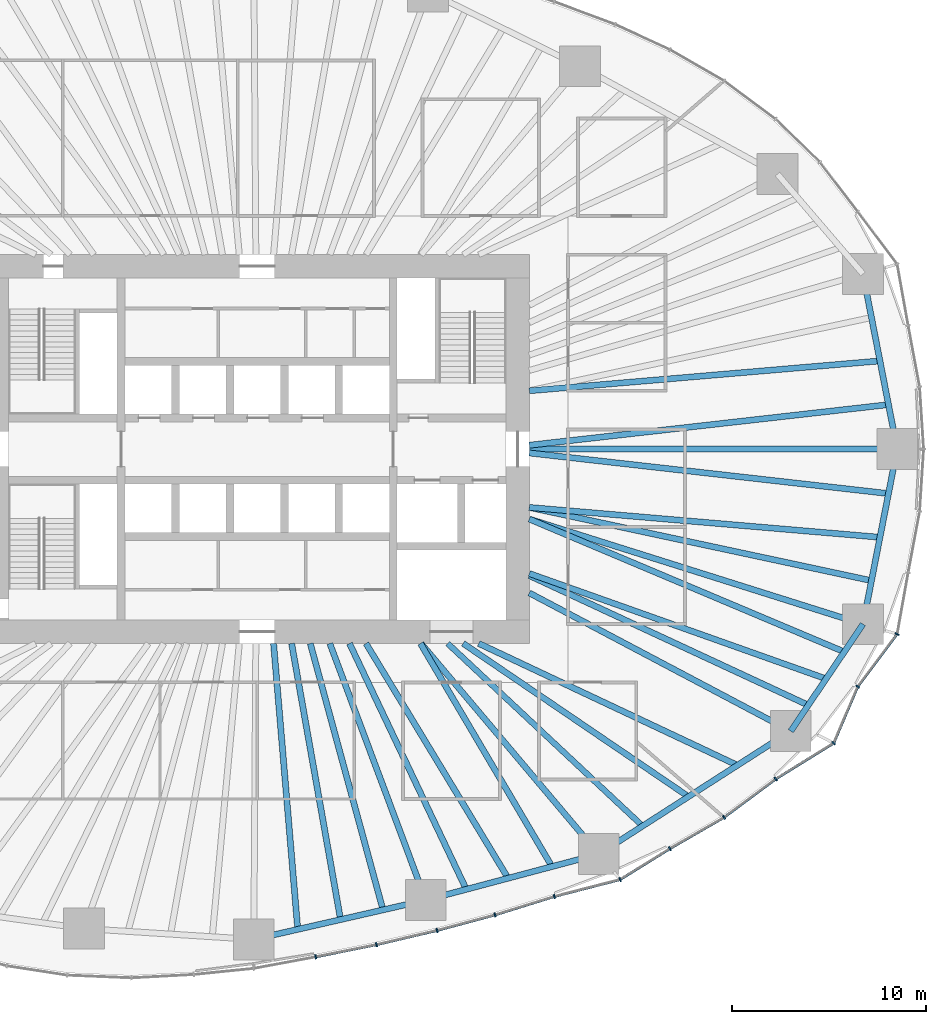
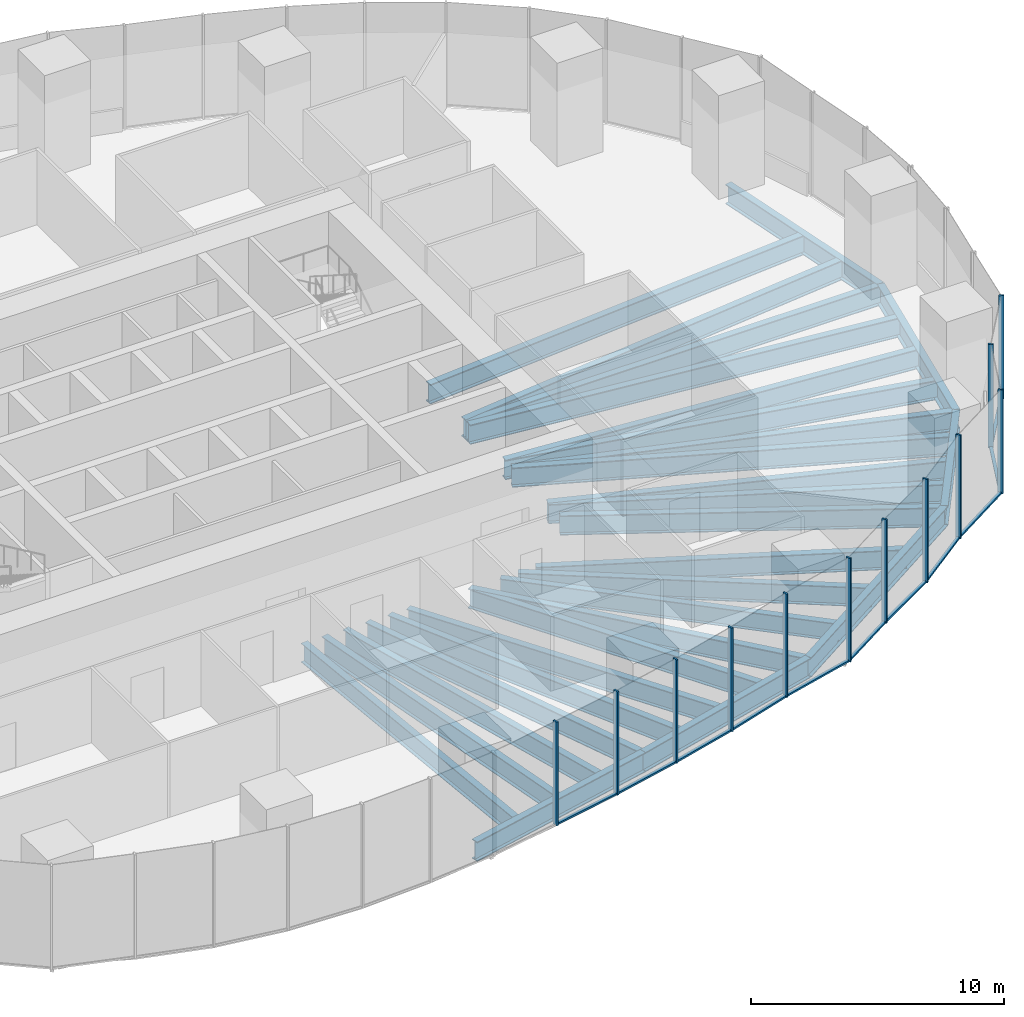
# One storey, part 4 of 20: 28 beams, 23 members, 5 elements without a shape of their own.
"""IFC4 building model written with IfcOpenShell, lengths in metres."""

import ifcopenshell
import ifcopenshell.guid

model = None  # the IFC model being written
_history = None  # IfcOwnerHistory: only IFC2X3 demands one
_inside = {}  # id of a spatial element -> (the spatial element, [elements in it])
_under = {}  # id of a project, library or spatial element -> (it, [spatial elements below it])
_declared = {}  # id of a project -> (the project, [libraries it declares])
_typed = {}  # id of a type object -> (the type object, [elements of that type])
_made_of = {}  # id of a material, layer set ... -> (it, [elements and type objects made of it])


def new_model(schema):
    """Start an empty IFC model of exactly this schema.

    Asked for "IFC4X3", IfcOpenShell would pick the latest addendum, in which some entities
    have other attributes; the version numbers below select the first issue.
    IFC2X3 requires an IfcOwnerHistory on every rooted entity: one is made here for all.
    """
    global model, _history
    if schema == "IFC4X3":
        model = ifcopenshell.file(schema_version=(4, 3, 0, 0))
    else:
        model = ifcopenshell.file(schema=schema)
    _inside.clear()
    _under.clear()
    _declared.clear()
    _typed.clear()
    _made_of.clear()
    _history = None
    if model.schema == "IFC2X3":
        org = make("IfcOrganization", Name="unknown")
        user = make(
            "IfcPersonAndOrganization",
            ThePerson=make("IfcPerson", FamilyName="unknown"),
            TheOrganization=org,
        )
        app = make(
            "IfcApplication",
            ApplicationDeveloper=org,
            Version="unknown",
            ApplicationFullName="unknown",
            ApplicationIdentifier="unknown",
        )
        _history = make(
            "IfcOwnerHistory",
            OwningUser=user,
            OwningApplication=app,
            ChangeAction="ADDED",
            CreationDate=0,
        )
    return model


def make(cls, **values):
    """One entity of the class cls with the attributes given. An attribute that is None is left unset."""
    return model.create_entity(
        cls, **{name: value for name, value in values.items() if value is not None}
    )


def rooted(cls, **values):
    """An entity with a GlobalId (a new one), such as an element, a storey or a relation."""
    return make(cls, GlobalId=ifcopenshell.guid.new(), OwnerHistory=_history, **values)


def si_unit(unit_type, name, prefix=None):
    """IfcSIUnit, for example si_unit("LENGTHUNIT", "METRE", prefix="MILLI")."""
    return make("IfcSIUnit", UnitType=unit_type, Prefix=prefix, Name=name)


def assignment(units):
    """IfcUnitAssignment: the units of a project."""
    return None if units is None else make("IfcUnitAssignment", Units=units)


def point(xyz):
    """IfcCartesianPoint."""
    return None if xyz is None else make("IfcCartesianPoint", Coordinates=xyz)


def direction(xyz):
    """IfcDirection."""
    return None if xyz is None else make("IfcDirection", DirectionRatios=xyz)


def frame(location, z_axis=None, x_axis=None):
    """IfcAxis2Placement3D, a coordinate frame: its origin and axes. An axis left out is left unset."""
    return make(
        "IfcAxis2Placement3D",
        Location=point(location),
        Axis=direction(z_axis),
        RefDirection=direction(x_axis),
    )


def frame_2d(location, x_axis=None):
    """IfcAxis2Placement2D, a coordinate frame in the plane: its origin and x axis."""
    return make(
        "IfcAxis2Placement2D", Location=point(location), RefDirection=direction(x_axis)
    )


def origin():
    """The frame at (0, 0, 0) with its axes left unset."""
    return frame((0.0, 0.0, 0.0))


def origin_2d():
    """The frame at (0, 0) in the plane with its x axis left unset."""
    return frame_2d((0.0, 0.0))


def place(relative_to, where):
    """IfcLocalPlacement: puts the frame where relative to a parent placement (None: the world)."""
    return make(
        "IfcLocalPlacement", PlacementRelTo=relative_to, RelativePlacement=where
    )


def context(
    kind, dimensions, precision=None, world=None, true_north=None, identifier=None
):
    """IfcGeometricRepresentationContext, for example the 3D "Model" context."""
    return make(
        "IfcGeometricRepresentationContext",
        ContextIdentifier=identifier,
        ContextType=kind,
        CoordinateSpaceDimension=dimensions,
        Precision=precision,
        WorldCoordinateSystem=world,
        TrueNorth=true_north,
    )


def subcontext(parent, identifier, kind, view, scale=None):
    """IfcGeometricRepresentationSubContext, for example "Body" below "Model"."""
    return make(
        "IfcGeometricRepresentationSubContext",
        ContextIdentifier=identifier,
        ContextType=kind,
        ParentContext=parent,
        TargetScale=scale,
        TargetView=view,
    )


def project(units=None, contexts=None):
    """IfcProject with its units and contexts."""
    return rooted(
        "IfcProject",
        Name="project",
        RepresentationContexts=contexts,
        UnitsInContext=assignment(units),
    )


def spatial(cls, under=None, at=None, **own):
    """A site, building, storey or space (cls), placed at a placement, below another one or the project."""
    s = rooted(cls, ObjectPlacement=at, **own)
    if under is not None:
        _under.setdefault(under.id(), (under, []))[1].append(s)
    return s


def profile(cls, at=None, kind="AREA", **sizes):
    """A parametric profile (cls). Its sizes go by their IFC names, for example OverallWidth=200.0."""
    return make(cls, ProfileType=kind, Position=at, **sizes)


def rectangle(**sizes):
    """IfcRectangleProfileDef."""
    return profile("IfcRectangleProfileDef", **sizes)


def i_section(**sizes):
    """IfcIShapeProfileDef."""
    return profile("IfcIShapeProfileDef", **sizes)


def extrude(swept, where, along, depth):
    """IfcExtrudedAreaSolid: the profile swept, set in the frame where, extruded along a direction by depth."""
    return make(
        "IfcExtrudedAreaSolid",
        SweptArea=swept,
        Position=where,
        ExtrudedDirection=direction(along),
        Depth=depth,
    )


def shape(context_of_items, identifier, shape_type, items):
    """IfcShapeRepresentation: the items that make up one representation, for example the "Body"."""
    return make(
        "IfcShapeRepresentation",
        ContextOfItems=context_of_items,
        RepresentationIdentifier=identifier,
        RepresentationType=shape_type,
        Items=items,
    )


def material(Name=None, Category=None):
    """IfcMaterial."""
    return make("IfcMaterial", Name=Name, Category=Category)


def material_profile(
    of_material, cross_section, Name=None, Category=None, Priority=None
):
    """IfcMaterialProfile: a cross section and its material."""
    return make(
        "IfcMaterialProfile",
        Name=Name,
        Material=of_material,
        Profile=cross_section,
        Priority=Priority,
        Category=Category,
    )


def profile_set(profiles, Name=None, composite=None):
    """IfcMaterialProfileSet."""
    return make(
        "IfcMaterialProfileSet",
        Name=Name,
        MaterialProfiles=profiles,
        CompositeProfile=composite,
    )


def made_of(thing, what):
    """Note that an element or type object is made of a material, layer set ...; save() writes the relation."""
    if what is not None:
        _made_of.setdefault(what.id(), (what, []))[1].append(thing)
    return thing


def type_object(cls, material=None, **own):
    """A type object (cls), such as IfcWallType, which elements share."""
    return made_of(rooted(cls, **own), material)


def element(
    cls,
    number,
    at=None,
    inside=None,
    cuts=None,
    type_object=None,
    material=None,
    context=None,
    identifier="Body",
    shape_type=None,
    held_by="IfcProductDefinitionShape",
    body=None,
    shapes=None,
    **own,
):
    """One element of the class cls, such as IfcWall. Its Tag is "e" and its number.

    at: its placement. inside: the storey or other place that contains it. cuts: it is an
    opening in that element (IfcRelVoidsElement). A single representation is given by context,
    identifier, shape_type and body (its items); several are given by shapes. held_by: the class
    of the entity that holds the representations. save() writes the other relations.
    """
    e = rooted(cls, Tag="e%d" % number, ObjectPlacement=at, **own)
    if body is not None:
        shapes = [shape(context, identifier, shape_type, body)]
    if shapes is not None:
        e.Representation = make(held_by, Representations=shapes)
    if inside is not None:
        _inside.setdefault(inside.id(), (inside, []))[1].append(e)
    if cuts is not None:
        rooted(
            "IfcRelVoidsElement", RelatingBuildingElement=cuts, RelatedOpeningElement=e
        )
    if type_object is not None:
        _typed.setdefault(type_object.id(), (type_object, []))[1].append(e)
    return made_of(e, material)


def aggregate(whole, parts):
    """IfcRelAggregates: a whole, such as a stair, and the parts it consists of."""
    return rooted("IfcRelAggregates", RelatingObject=whole, RelatedObjects=parts)


def save(model, path):
    """Write the relations noted so far, then the file.

    IfcRelAggregates (storeys below a building ...), IfcRelContainedInSpatialStructure (elements
    in a storey), IfcRelDefinesByType, IfcRelAssociatesMaterial and IfcRelDeclares: one each for
    every whole, place, type object, material and project.
    """
    for whole, parts in _under.values():
        aggregate(whole, parts)
    for where, things in _inside.values():
        rooted(
            "IfcRelContainedInSpatialStructure",
            RelatedElements=things,
            RelatingStructure=where,
        )
    for kind, things in _typed.values():
        rooted("IfcRelDefinesByType", RelatedObjects=things, RelatingType=kind)
    for what, things in _made_of.values():
        rooted("IfcRelAssociatesMaterial", RelatedObjects=things, RelatingMaterial=what)
    for by, libraries in _declared.values():
        rooted("IfcRelDeclares", RelatingContext=by, RelatedDefinitions=libraries)
    model.write(path)


model = new_model("IFC4")

# Units and contexts
model_context = context("Model", 3, precision=1e-05, world=origin(), true_north=direction((0.0, 1.0)))
body_context = subcontext(model_context, "Body", "Model", "MODEL_VIEW")
ifc_project = project(units=[si_unit("LENGTHUNIT", "METRE"), si_unit("AREAUNIT", "SQUARE_METRE"), si_unit("VOLUMEUNIT", "CUBIC_METRE"), si_unit("PLANEANGLEUNIT", "RADIAN"), si_unit("MASSUNIT", "GRAM", prefix="KILO")], contexts=[model_context])

# Site, building, storey
site_placement = place(None, origin())
site = spatial("IfcSite", under=ifc_project, at=site_placement, CompositionType="ELEMENT")
building_placement = place(site_placement, origin())
building = spatial("IfcBuilding", under=site, at=building_placement, Name="Ghaith Harvest Tower", CompositionType="ELEMENT")
storey_placement = place(building_placement, frame((0.0, 0.0, 25.0)))
storey = spatial("IfcBuildingStorey", under=building, at=storey_placement, Name="L05", CompositionType="ELEMENT", Elevation=25.0)

# Curtain wall, members
ifc_material_1 = material(Name="Black anodised aluminium and fritted glass", Category="aluminium")
curtain_wall_type = type_object("IfcCurtainWallType", Name="CW-F CURTAIN WALL", PredefinedType="NOTDEFINED", material=ifc_material_1)
curtain_wall_1_placement = place(storey_placement, origin())
curtain_wall_1 = element("IfcCurtainWall", 1, at=curtain_wall_1_placement, inside=storey, type_object=curtain_wall_type, Name="Curtain wall CW-F bay 16 L05", PredefinedType="NOTDEFINED")
ifc_material_2 = material(Name="Aluminium, black anodised", Category="aluminium")
ifc_material_profile_1 = material_profile(ifc_material_2, rectangle(XDim=0.080078125, YDim=0.219970703125, at=origin_2d()), Name="CW-F MULLION 80x220")
ifc_profile_set_1 = profile_set([ifc_material_profile_1], Name="Aluminium, black anodised")
member_type_1 = type_object("IfcMemberType", Name="CW-F MULLION 80x220", PredefinedType="MULLION", material=ifc_profile_set_1)
member_1_placement = place(storey_placement, frame((3.00927734375, -26.123291015625, 0.0), z_axis=(0.0, 0.0, 1.0), x_axis=(0.981818445714, 0.189822389762, 0.0)))
member_1 = element("IfcMember", 2, at=member_1_placement, type_object=member_type_1, Name="CW-F mullion 2 bay 16 L05", PredefinedType="MULLION", context=body_context, shape_type="SweptSolid", body=[
    extrude(rectangle(XDim=0.080078125, YDim=0.219970703125, at=origin_2d()), origin(), (0.0, 0.0, 1.0), 5.0),
])
member_2_placement = place(storey_placement, frame((6.136962890625, -25.495361328125, 0.0), z_axis=(0.0, 0.0, 1.0), x_axis=(0.977117973572, 0.212698062336, 0.0)))
member_2 = element("IfcMember", 3, at=member_2_placement, type_object=member_type_1, Name="CW-F mullion 3 bay 16 L05", PredefinedType="MULLION", context=body_context, shape_type="SweptSolid", body=[
    extrude(rectangle(XDim=0.080078125, YDim=0.219970703125, at=origin_2d()), origin(), (0.0, 0.0, 1.0), 5.0),
])

curtain_wall_2_placement = place(storey_placement, origin())
curtain_wall_2 = element("IfcCurtainWall", 4, at=curtain_wall_2_placement, inside=storey, type_object=curtain_wall_type, Name="Curtain wall CW-F bay 17 L05", PredefinedType="NOTDEFINED")
member_3_placement = place(storey_placement, frame((9.25732421875, -24.76318359375, 0.0), z_axis=(0.0, 0.0, 1.0), x_axis=(0.969903429248, 0.24348991341, 0.0)))
member_3 = element("IfcMember", 5, at=member_3_placement, type_object=member_type_1, Name="CW-F mullion 1 bay 17 L05", PredefinedType="MULLION", context=body_context, shape_type="SweptSolid", body=[
    extrude(rectangle(XDim=0.080078125, YDim=0.219970703125, at=origin_2d()), origin(), (0.0, 0.0, 1.0), 5.0),
])
member_4_placement = place(storey_placement, frame((12.234375, -23.964599609375, 0.0), z_axis=(0.0, 0.0, 1.0), x_axis=(0.960502189734, 0.278272426799, 0.0)))
member_4 = element("IfcMember", 6, at=member_4_placement, type_object=member_type_1, Name="CW-F mullion 2 bay 17 L05", PredefinedType="MULLION", context=body_context, shape_type="SweptSolid", body=[
    extrude(rectangle(XDim=0.080078125, YDim=0.219970703125, at=origin_2d()), origin(), (0.0, 0.0, 1.0), 5.0),
])
member_5_placement = place(storey_placement, frame((15.28759765625, -23.01611328125, 0.0), z_axis=(0.0, 0.0, 1.0), x_axis=(0.962313144018, 0.27194376781, 0.0)))
member_5 = element("IfcMember", 7, at=member_5_placement, type_object=member_type_1, Name="CW-F mullion 3 bay 17 L05", PredefinedType="MULLION", context=body_context, shape_type="SweptSolid", body=[
    extrude(rectangle(XDim=0.080078125, YDim=0.219970703125, at=origin_2d()), origin(), (0.0, 0.0, 1.0), 5.0),
])

curtain_wall_3_placement = place(storey_placement, origin())
curtain_wall_3 = element("IfcCurtainWall", 8, at=curtain_wall_3_placement, inside=storey, type_object=curtain_wall_type, Name="Curtain wall CW-F bay 18 L05", PredefinedType="NOTDEFINED")
member_6_placement = place(storey_placement, frame((18.674072265625, -22.144775390625, 0.0), z_axis=(0.0, 0.0, 1.0), x_axis=(0.923910199299, 0.382609387799, 0.0)))
member_6 = element("IfcMember", 9, at=member_6_placement, type_object=member_type_1, Name="CW-F mullion 1 bay 18 L05", PredefinedType="MULLION", context=body_context, shape_type="SweptSolid", body=[
    extrude(rectangle(XDim=0.080078125, YDim=0.219970703125, at=origin_2d()), origin(), (0.0, 0.0, 1.0), 5.0),
])
member_7_placement = place(storey_placement, frame((21.2353515625, -20.552978515625, 0.0), z_axis=(0.0, 0.0, 1.0), x_axis=(0.858140414942, 0.513415064293, 0.0)))
member_7 = element("IfcMember", 10, at=member_7_placement, type_object=member_type_1, Name="CW-F mullion 2 bay 18 L05", PredefinedType="MULLION", context=body_context, shape_type="SweptSolid", body=[
    extrude(rectangle(XDim=0.080078125, YDim=0.219970703125, at=origin_2d()), origin(), (0.0, 0.0, 1.0), 5.0),
])
member_8_placement = place(storey_placement, frame((24.018310546875, -18.947265625, 0.0), z_axis=(0.0, 0.0, 1.0), x_axis=(0.835443516838, 0.549576318788, 0.0)))
member_8 = element("IfcMember", 11, at=member_8_placement, type_object=member_type_1, Name="CW-F mullion 3 bay 18 L05", PredefinedType="MULLION", context=body_context, shape_type="SweptSolid", body=[
    extrude(rectangle(XDim=0.080078125, YDim=0.219970703125, at=origin_2d()), origin(), (0.0, 0.0, 1.0), 5.0),
])

curtain_wall_4_placement = place(storey_placement, origin())
curtain_wall_4 = element("IfcCurtainWall", 12, at=curtain_wall_4_placement, inside=storey, type_object=curtain_wall_type, Name="Curtain wall CW-F bay 19 L05", PredefinedType="NOTDEFINED")
member_9_placement = place(storey_placement, frame((26.673828125, -16.9755859375, 0.0), z_axis=(0.0, 0.0, 1.0), x_axis=(0.828002038115, 0.560725088504, 0.0)))
member_9 = element("IfcMember", 13, at=member_9_placement, type_object=member_type_1, Name="CW-F mullion 1 bay 19 L05", PredefinedType="MULLION", context=body_context, shape_type="SweptSolid", body=[
    extrude(rectangle(XDim=0.080078125, YDim=0.219970703125, at=origin_2d()), origin(), (0.0, 0.0, 1.0), 5.0),
])
member_10_placement = place(storey_placement, frame((29.659912109375, -15.126953125, 0.0), z_axis=(0.0, 0.0, 1.0), x_axis=(0.663604797505, 0.748083332743, 0.0)))
member_10 = element("IfcMember", 14, at=member_10_placement, type_object=member_type_1, Name="CW-F mullion 2 bay 19 L05", PredefinedType="MULLION", context=body_context, shape_type="SweptSolid", body=[
    extrude(rectangle(XDim=0.080078125, YDim=0.219970703125, at=origin_2d()), origin(), (0.0, 0.0, 1.0), 5.0),
])
member_11_placement = place(storey_placement, frame((30.896728515625, -12.215087890625, 0.0), z_axis=(0.0, 0.0, 1.0), x_axis=(0.5027946428, 0.864405892606, 0.0)))
member_11 = element("IfcMember", 15, at=member_11_placement, type_object=member_type_1, Name="CW-F mullion 3 bay 19 L05", PredefinedType="MULLION", context=body_context, shape_type="SweptSolid", body=[
    extrude(rectangle(XDim=0.080078125, YDim=0.219970703125, at=origin_2d()), origin(), (0.0, 0.0, 1.0), 5.0),
])

# Curtain wall, member
curtain_wall_5_placement = place(storey_placement, origin())
curtain_wall_5 = element("IfcCurtainWall", 16, at=curtain_wall_5_placement, inside=storey, type_object=curtain_wall_type, Name="Curtain wall CW-F bay 20 L05", PredefinedType="NOTDEFINED")
member_12_placement = place(storey_placement, frame((32.923583984375, -9.515625, 0.0), z_axis=(0.0, 0.0, 1.0), x_axis=(0.404701694001, 0.914448762301, 0.0)))
member_12 = element("IfcMember", 17, at=member_12_placement, type_object=member_type_1, Name="CW-F mullion 1 bay 20 L05", PredefinedType="MULLION", context=body_context, shape_type="SweptSolid", body=[
    extrude(rectangle(XDim=0.080078125, YDim=0.219970703125, at=origin_2d()), origin(), (0.0, 0.0, 1.0), 5.0),
])
aggregate(curtain_wall_5, [member_12])

# Member
ifc_material_3 = material(Name="Aluminium, black anodised", Category="aluminium")
ifc_material_profile_2 = material_profile(ifc_material_3, rectangle(XDim=0.139892578125, YDim=0.080078125, at=origin_2d()), Name="CW-F TRANSOM 140x80")
ifc_profile_set_2 = profile_set([ifc_material_profile_2], Name="Aluminium, black anodised")
member_type_2 = type_object("IfcMemberType", Name="CW-F TRANSOM 140x80", PredefinedType="USERDEFINED", material=ifc_profile_set_2)
member_13_placement = place(storey_placement, frame((3.04833984375, -26.115478515625, 0.0400390625), z_axis=(0.980432471193, 0.196855707129, 0.0), x_axis=(-0.196855707129, 0.980432471193, 0.0)))
member_13 = element("IfcMember", 18, at=member_13_placement, type_object=member_type_2, Name="CW-F transom 2 bay 16 L05", ObjectType="TRANSOM", PredefinedType="USERDEFINED", context=body_context, shape_type="SweptSolid", body=[
    extrude(rectangle(XDim=0.139892578125, YDim=0.080078125, at=origin_2d()), origin(), (0.0, 0.0, 1.0), 3.1103515625),
])

member_14_placement = place(storey_placement, frame((6.176025390625, -25.486083984375, 0.0400390625), z_axis=(0.973560415159, 0.228429678537, 0.0), x_axis=(-0.228429678537, 0.973560415159, 0.0)))
member_14 = element("IfcMember", 19, at=member_14_placement, type_object=member_type_2, Name="CW-F transom 3 bay 16 L05", ObjectType="TRANSOM", PredefinedType="USERDEFINED", context=body_context, shape_type="SweptSolid", body=[
    extrude(rectangle(XDim=0.139892578125, YDim=0.080078125, at=origin_2d()), origin(), (0.0, 0.0, 1.0), 3.125),
])

aggregate(curtain_wall_1, [member_1, member_13, member_2, member_14])

member_15_placement = place(storey_placement, frame((9.2958984375, -24.7529296875, 0.0400390625), z_axis=(0.965832908495, 0.259165570377, 0.0), x_axis=(-0.259165570377, 0.965832908495, 0.0)))
member_15 = element("IfcMember", 20, at=member_15_placement, type_object=member_type_2, Name="CW-F transom 1 bay 17 L05", ObjectType="TRANSOM", PredefinedType="USERDEFINED", context=body_context, shape_type="SweptSolid", body=[
    extrude(rectangle(XDim=0.139892578125, YDim=0.080078125, at=origin_2d()), origin(), (0.0, 0.0, 1.0), 3.002197265625),
])

member_16_placement = place(storey_placement, frame((12.2724609375, -23.95263671875, 0.0400390625), z_axis=(0.954998362353, 0.296611071781, 0.0), x_axis=(-0.296611071781, 0.954998362353, 0.0)))
member_16 = element("IfcMember", 21, at=member_16_placement, type_object=member_type_2, Name="CW-F transom 2 bay 17 L05", ObjectType="TRANSOM", PredefinedType="USERDEFINED", context=body_context, shape_type="SweptSolid", body=[
    extrude(rectangle(XDim=0.139892578125, YDim=0.080078125, at=origin_2d()), origin(), (0.0, 0.0, 1.0), 3.1171875),
])

member_17_placement = place(storey_placement, frame((15.326171875, -23.006103515625, 0.0400390625), z_axis=(0.968463874592, 0.249154015841, 0.0), x_axis=(-0.249154015841, 0.968463874592, 0.0)))
member_17 = element("IfcMember", 22, at=member_17_placement, type_object=member_type_2, Name="CW-F transom 3 bay 17 L05", ObjectType="TRANSOM", PredefinedType="USERDEFINED", context=body_context, shape_type="SweptSolid", body=[
    extrude(rectangle(XDim=0.139892578125, YDim=0.080078125, at=origin_2d()), origin(), (0.0, 0.0, 1.0), 3.416748046875),
])

aggregate(curtain_wall_2, [member_3, member_15, member_4, member_16, member_5, member_17])

member_18_placement = place(storey_placement, frame((18.7080078125, -22.12353515625, 0.0400390625), z_axis=(0.849383069026, 0.527776848726, 0.0), x_axis=(-0.527776848726, 0.849383069026, 0.0)))
member_18 = element("IfcMember", 23, at=member_18_placement, type_object=member_type_2, Name="CW-F transom 1 bay 18 L05", ObjectType="TRANSOM", PredefinedType="USERDEFINED", context=body_context, shape_type="SweptSolid", body=[
    extrude(rectangle(XDim=0.139892578125, YDim=0.080078125, at=origin_2d()), origin(), (0.0, 0.0, 1.0), 2.935546875),
])

member_19_placement = place(storey_placement, frame((21.27001953125, -20.532958984375, 0.0400390625), z_axis=(0.866168719914, 0.499751686983, 0.0), x_axis=(-0.499751686983, 0.866168719914, 0.0)))
member_19 = element("IfcMember", 24, at=member_19_placement, type_object=member_type_2, Name="CW-F transom 2 bay 18 L05", ObjectType="TRANSOM", PredefinedType="USERDEFINED", context=body_context, shape_type="SweptSolid", body=[
    extrude(rectangle(XDim=0.139892578125, YDim=0.080078125, at=origin_2d()), origin(), (0.0, 0.0, 1.0), 3.1328125),
])

member_20_placement = place(storey_placement, frame((24.050537109375, -18.92333984375, 0.0400390625), z_axis=(0.802877287823, 0.596144328748, 0.0), x_axis=(-0.596144328748, 0.802877287823, 0.0)))
member_20 = element("IfcMember", 25, at=member_20_placement, type_object=member_type_2, Name="CW-F transom 3 bay 18 L05", ObjectType="TRANSOM", PredefinedType="USERDEFINED", context=body_context, shape_type="SweptSolid", body=[
    extrude(rectangle(XDim=0.139892578125, YDim=0.080078125, at=origin_2d()), origin(), (0.0, 0.0, 1.0), 3.2275390625),
])

aggregate(curtain_wall_3, [member_6, member_18, member_7, member_19, member_8, member_20])

member_21_placement = place(storey_placement, frame((26.707763671875, -16.954345703125, 0.0400390625), z_axis=(0.850260598386, 0.526361961802, 0.0), x_axis=(-0.526361961802, 0.850260598386, 0.0)))
member_21 = element("IfcMember", 26, at=member_21_placement, type_object=member_type_2, Name="CW-F transom 1 bay 19 L05", ObjectType="TRANSOM", PredefinedType="USERDEFINED", context=body_context, shape_type="SweptSolid", body=[
    extrude(rectangle(XDim=0.139892578125, YDim=0.080078125, at=origin_2d()), origin(), (0.0, 0.0, 1.0), 3.431884765625),
])

member_22_placement = place(storey_placement, frame((29.675537109375, -15.090087890625, 0.0400390625), z_axis=(0.390936107494, 0.92041781809, 0.0), x_axis=(-0.92041781809, 0.390936107494, 0.0)))
member_22 = element("IfcMember", 27, at=member_22_placement, type_object=member_type_2, Name="CW-F transom 2 bay 19 L05", ObjectType="TRANSOM", PredefinedType="USERDEFINED", context=body_context, shape_type="SweptSolid", body=[
    extrude(rectangle(XDim=0.139892578125, YDim=0.080078125, at=origin_2d()), origin(), (0.0, 0.0, 1.0), 3.083740234375),
])

member_23_placement = place(storey_placement, frame((30.920654296875, -12.18310546875, 0.0400390625), z_axis=(0.600462135687, 0.799653189581, 0.0), x_axis=(-0.799653189581, 0.600462135687, 0.0)))
member_23 = element("IfcMember", 28, at=member_23_placement, type_object=member_type_2, Name="CW-F transom 3 bay 19 L05", ObjectType="TRANSOM", PredefinedType="USERDEFINED", context=body_context, shape_type="SweptSolid", body=[
    extrude(rectangle(XDim=0.139892578125, YDim=0.080078125, at=origin_2d()), origin(), (0.0, 0.0, 1.0), 3.2958984375),
])

aggregate(curtain_wall_4, [member_9, member_21, member_10, member_22, member_11, member_23])

# Beams
ifc_material_4 = material(Name="Steel ASTM A992 Grade 50", Category="steel")
ifc_material_profile_3 = material_profile(ifc_material_4, i_section(OverallWidth=0.306884765625, OverallDepth=0.94189453125, WebThickness=0.022216796875, FlangeThickness=0.039794921875, at=origin_2d()), Name="W920X345")
ifc_profile_set_3 = profile_set([ifc_material_profile_3], Name="Steel ASTM A992 Grade 50")
beam_type_1 = type_object("IfcBeamType", Name="E920-345 W920X345", PredefinedType="SPANDREL", material=ifc_profile_set_3)
beam_1_placement = place(storey_placement, frame((32.925048828125, 0.0, -0.6708984375), z_axis=(-0.191653479461, 0.981462655332, 0.0), x_axis=(-0.981462655332, -0.191653479461, 0.0)))
element("IfcBeam", 29, at=beam_1_placement, inside=storey, type_object=beam_type_1, Name="Edge beam E01 L05", PredefinedType="SPANDREL", context=body_context, shape_type="SweptSolid", body=[
    extrude(i_section(OverallWidth=0.306884765625, OverallDepth=0.94189453125, WebThickness=0.022216796875, FlangeThickness=0.039794921875, at=origin_2d()), origin(), (0.0, 0.0, 1.0), 9.17822265625),
])
beam_2_placement = place(storey_placement, frame((-0.173095703125, -25.22412109375, -0.6708984375), z_axis=(0.974881709383, 0.22272326486, 0.0), x_axis=(-0.22272326486, 0.974881709383, 0.0)))
element("IfcBeam", 30, at=beam_2_placement, inside=storey, type_object=beam_type_1, Name="Edge beam E16 L05", PredefinedType="SPANDREL", context=body_context, shape_type="SweptSolid", body=[
    extrude(i_section(OverallWidth=0.306884765625, OverallDepth=0.94189453125, WebThickness=0.022216796875, FlangeThickness=0.039794921875, at=origin_2d()), origin(), (0.0, 0.0, 1.0), 9.0751953125),
])
beam_3_placement = place(storey_placement, frame((8.674072265625, -23.202880859375, -0.6708984375), z_axis=(0.966419097109, 0.256971065963, 0.0), x_axis=(-0.256971065963, 0.966419097109, 0.0)))
element("IfcBeam", 31, at=beam_3_placement, inside=storey, type_object=beam_type_1, Name="Edge beam E17 L05", PredefinedType="SPANDREL", context=body_context, shape_type="SweptSolid", body=[
    extrude(i_section(OverallWidth=0.306884765625, OverallDepth=0.94189453125, WebThickness=0.022216796875, FlangeThickness=0.039794921875, at=origin_2d()), origin(), (0.0, 0.0, 1.0), 9.20703125),
])
beam_4_placement = place(storey_placement, frame((17.572021484375, -20.8369140625, -0.6708984375), z_axis=(0.842014649705, 0.539454659524, 0.0), x_axis=(-0.539454659524, 0.842014649705, 0.0)))
element("IfcBeam", 32, at=beam_4_placement, inside=storey, type_object=beam_type_1, Name="Edge beam E18 L05", PredefinedType="SPANDREL", context=body_context, shape_type="SweptSolid", body=[
    extrude(i_section(OverallWidth=0.306884765625, OverallDepth=0.94189453125, WebThickness=0.022216796875, FlangeThickness=0.039794921875, at=origin_2d()), origin(), (0.0, 0.0, 1.0), 11.730224609375),
])
beam_5_placement = place(storey_placement, frame((27.448974609375, -14.509033203125, -0.6708984375), z_axis=(0.559874470017, 0.828577442261, 0.0), x_axis=(-0.828577442261, 0.559874470017, 0.0)))
element("IfcBeam", 33, at=beam_5_placement, inside=storey, type_object=beam_type_1, Name="Edge beam E19 L05", PredefinedType="SPANDREL", context=body_context, shape_type="SweptSolid", body=[
    extrude(i_section(OverallWidth=0.306884765625, OverallDepth=0.94189453125, WebThickness=0.022216796875, FlangeThickness=0.039794921875, at=origin_2d()), origin(), (0.0, 0.0, 1.0), 6.63916015625),
])
beam_6_placement = place(storey_placement, frame((31.166015625, -9.008056640625, -0.6708984375), z_axis=(0.191653479461, 0.981462655332, 0.0), x_axis=(-0.981462655332, 0.191653479461, 0.0)))
element("IfcBeam", 34, at=beam_6_placement, inside=storey, type_object=beam_type_1, Name="Edge beam E20 L05", PredefinedType="SPANDREL", context=body_context, shape_type="SweptSolid", body=[
    extrude(i_section(OverallWidth=0.306884765625, OverallDepth=0.94189453125, WebThickness=0.022216796875, FlangeThickness=0.039794921875, at=origin_2d()), origin(), (0.0, 0.0, 1.0), 9.17822265625),
])
ifc_material_5 = material(Name="Steel ASTM A992 Grade 50", Category="steel")
ifc_material_profile_4 = material_profile(ifc_material_5, i_section(OverallWidth=0.306884765625, OverallDepth=0.94189453125, WebThickness=0.022216796875, FlangeThickness=0.039794921875, at=origin_2d()), Name="W920X345")
ifc_profile_set_4 = profile_set([ifc_material_profile_4], Name="Steel ASTM A992 Grade 50")
beam_type_2 = type_object("IfcBeamType", Name="G920-345 W920X345", PredefinedType="BEAM", material=ifc_profile_set_4)
beam_7_placement = place(storey_placement, frame((14.0, 0.0, -0.6708984375), z_axis=(1.0, 0.0, 0.0), x_axis=(0.0, 1.0, 0.0)))
element("IfcBeam", 35, at=beam_7_placement, inside=storey, type_object=beam_type_2, Name="Radial girder G01 L05", PredefinedType="BEAM", context=body_context, shape_type="SweptSolid", body=[
    extrude(i_section(OverallWidth=0.306884765625, OverallDepth=0.94189453125, WebThickness=0.022216796875, FlangeThickness=0.039794921875, at=origin_2d()), origin(), (0.0, 0.0, 1.0), 18.925048828125),
])
beam_8_placement = place(storey_placement, frame((3.73828125, -10.0, -0.6708984375), z_axis=(0.350172283717, -0.936685310932, 0.0), x_axis=(0.936685310932, 0.350172283717, 0.0)))
element("IfcBeam", 36, at=beam_8_placement, inside=storey, type_object=beam_type_2, Name="Radial girder G17 L05", PredefinedType="BEAM", context=body_context, shape_type="SweptSolid", body=[
    extrude(i_section(OverallWidth=0.306884765625, OverallDepth=0.94189453125, WebThickness=0.022216796875, FlangeThickness=0.039794921875, at=origin_2d()), origin(), (0.0, 0.0, 1.0), 14.09521484375),
])
beam_9_placement = place(storey_placement, frame((8.4326171875, -10.0, -0.6708984375), z_axis=(0.644696130938, -0.764438943771, 0.0), x_axis=(0.764438943771, 0.644696130938, 0.0)))
element("IfcBeam", 37, at=beam_9_placement, inside=storey, type_object=beam_type_2, Name="Radial girder G18 L05", PredefinedType="BEAM", context=body_context, shape_type="SweptSolid", body=[
    extrude(i_section(OverallWidth=0.306884765625, OverallDepth=0.94189453125, WebThickness=0.022216796875, FlangeThickness=0.039794921875, at=origin_2d()), origin(), (0.0, 0.0, 1.0), 14.17626953125),
])
beam_10_placement = place(storey_placement, frame((14.0, -7.39990234375, -0.6708984375), z_axis=(0.884084425997, -0.467327216959, 0.0), x_axis=(0.467327216959, 0.884084425997, 0.0)))
element("IfcBeam", 38, at=beam_10_placement, inside=storey, type_object=beam_type_2, Name="Radial girder G19 L05", PredefinedType="BEAM", context=body_context, shape_type="SweptSolid", body=[
    extrude(i_section(OverallWidth=0.306884765625, OverallDepth=0.94189453125, WebThickness=0.022216796875, FlangeThickness=0.039794921875, at=origin_2d()), origin(), (0.0, 0.0, 1.0), 15.21240234375),
])
beam_11_placement = place(storey_placement, frame((14.0, -3.60009765625, -0.6708984375), z_axis=(0.953788071692, -0.300480139607, 0.0), x_axis=(0.300480139607, 0.953788071692, 0.0)))
element("IfcBeam", 39, at=beam_11_placement, inside=storey, type_object=beam_type_2, Name="Radial girder G20 L05", PredefinedType="BEAM", context=body_context, shape_type="SweptSolid", body=[
    extrude(i_section(OverallWidth=0.306884765625, OverallDepth=0.94189453125, WebThickness=0.022216796875, FlangeThickness=0.039794921875, at=origin_2d()), origin(), (0.0, 0.0, 1.0), 17.997802734375),
])
ifc_material_6 = material(Name="Steel ASTM A992 Grade 50", Category="steel")
ifc_material_profile_5 = material_profile(ifc_material_6, i_section(OverallWidth=0.2939453125, OverallDepth=0.85107421875, WebThickness=0.01611328125, FlangeThickness=0.02685546875, at=origin_2d()), Name="W840X226")
ifc_profile_set_5 = profile_set([ifc_material_profile_5], Name="Steel ASTM A992 Grade 50")
beam_type_3 = type_object("IfcBeamType", Name="J840-226 W840X226", PredefinedType="JOIST", material=ifc_profile_set_5)
beam_12_placement = place(storey_placement, frame((9.800048828125, -10.0, -0.62548828125), z_axis=(0.72994990542, -0.683500647825, 0.0), x_axis=(0.683500647825, 0.72994990542, 0.0)))
element("IfcBeam", 40, at=beam_12_placement, inside=storey, type_object=beam_type_3, Name="Joist J18.1 L05", PredefinedType="JOIST", context=body_context, shape_type="SweptSolid", body=[
    extrude(i_section(OverallWidth=0.2939453125, OverallDepth=0.85107421875, WebThickness=0.01611328125, FlangeThickness=0.02685546875, at=origin_2d()), origin(), (0.0, 0.0, 1.0), 13.7392578125),
])
ifc_material_7 = material(Name="Steel ASTM A992 Grade 50", Category="steel")
ifc_material_profile_6 = material_profile(ifc_material_7, i_section(OverallWidth=0.31005859375, OverallDepth=0.927001953125, WebThickness=0.019287109375, FlangeThickness=0.031982421875, at=origin_2d()), Name="W920X289")
ifc_profile_set_6 = profile_set([ifc_material_profile_6], Name="Steel ASTM A992 Grade 50")
beam_type_4 = type_object("IfcBeamType", Name="J920-289 W920X289", PredefinedType="JOIST", material=ifc_profile_set_6)
beam_13_placement = place(storey_placement, frame((0.844970703125, -10.0, -0.66357421875), z_axis=(0.084208979751, -0.996448115924, 0.0), x_axis=(0.996448115924, 0.084208979751, 0.0)))
element("IfcBeam", 41, at=beam_13_placement, inside=storey, type_object=beam_type_4, Name="Joist J16.1 L05", PredefinedType="JOIST", context=body_context, shape_type="SweptSolid", body=[
    extrude(i_section(OverallWidth=0.31005859375, OverallDepth=0.927001953125, WebThickness=0.019287109375, FlangeThickness=0.031982421875, at=origin_2d()), origin(), (0.0, 0.0, 1.0), 14.760009765625),
])
beam_14_placement = place(storey_placement, frame((1.772705078125, -10.0, -0.66357421875), z_axis=(0.174552818486, -0.98464781194, 0.0), x_axis=(0.98464781194, 0.174552818486, 0.0)))
element("IfcBeam", 42, at=beam_14_placement, inside=storey, type_object=beam_type_4, Name="Joist J16.2 L05", PredefinedType="JOIST", context=body_context, shape_type="SweptSolid", body=[
    extrude(i_section(OverallWidth=0.31005859375, OverallDepth=0.927001953125, WebThickness=0.019287109375, FlangeThickness=0.031982421875, at=origin_2d()), origin(), (0.0, 0.0, 1.0), 14.42578125),
])
beam_15_placement = place(storey_placement, frame((2.73095703125, -10.0, -0.66357421875), z_axis=(0.263463446032, -0.964669379946, 0.0), x_axis=(0.964669379946, 0.263463446032, 0.0)))
element("IfcBeam", 43, at=beam_15_placement, inside=storey, type_object=beam_type_4, Name="Joist J16.3 L05", PredefinedType="JOIST", context=body_context, shape_type="SweptSolid", body=[
    extrude(i_section(OverallWidth=0.31005859375, OverallDepth=0.927001953125, WebThickness=0.019287109375, FlangeThickness=0.031982421875, at=origin_2d()), origin(), (0.0, 0.0, 1.0), 14.20751953125),
])
beam_16_placement = place(storey_placement, frame((4.75, -10.0, -0.66357421875), z_axis=(0.429067127754, -0.903272605519, 0.0), x_axis=(0.903272605519, 0.429067127754, 0.0)))
element("IfcBeam", 44, at=beam_16_placement, inside=storey, type_object=beam_type_4, Name="Joist J17.1 L05", PredefinedType="JOIST", context=body_context, shape_type="SweptSolid", body=[
    extrude(i_section(OverallWidth=0.31005859375, OverallDepth=0.927001953125, WebThickness=0.019287109375, FlangeThickness=0.031982421875, at=origin_2d()), origin(), (0.0, 0.0, 1.0), 14.003173828125),
])
beam_17_placement = place(storey_placement, frame((5.60009765625, -10.0, -0.66357421875), z_axis=(0.517828660199, -0.855484353262, 0.0), x_axis=(0.855484353262, 0.517828660199, 0.0)))
element("IfcBeam", 45, at=beam_17_placement, inside=storey, type_object=beam_type_4, Name="Joist J17.2 L05", PredefinedType="JOIST", context=body_context, shape_type="SweptSolid", body=[
    extrude(i_section(OverallWidth=0.31005859375, OverallDepth=0.927001953125, WebThickness=0.019287109375, FlangeThickness=0.031982421875, at=origin_2d()), origin(), (0.0, 0.0, 1.0), 14.11669921875),
])
beam_18_placement = place(storey_placement, frame((8.39990234375, -10.0, -0.66357421875), z_axis=(0.507894375661, -0.861419353841, 0.0), x_axis=(0.861419353841, 0.507894375661, 0.0)))
element("IfcBeam", 46, at=beam_18_placement, inside=storey, type_object=beam_type_4, Name="Joist J17.3 L05", PredefinedType="JOIST", context=body_context, shape_type="SweptSolid", body=[
    extrude(i_section(OverallWidth=0.31005859375, OverallDepth=0.927001953125, WebThickness=0.019287109375, FlangeThickness=0.031982421875, at=origin_2d()), origin(), (0.0, 0.0, 1.0), 13.32275390625),
])
beam_19_placement = place(storey_placement, frame((10.60009765625, -10.0, -0.66357421875), z_axis=(0.826982555637, -0.562227580853, 0.0), x_axis=(0.562227580853, 0.826982555637, 0.0)))
element("IfcBeam", 47, at=beam_19_placement, inside=storey, type_object=beam_type_4, Name="Joist J18.2 L05", PredefinedType="JOIST", context=body_context, shape_type="SweptSolid", body=[
    extrude(i_section(OverallWidth=0.31005859375, OverallDepth=0.927001953125, WebThickness=0.019287109375, FlangeThickness=0.031982421875, at=origin_2d()), origin(), (0.0, 0.0, 1.0), 14.013671875),
])
beam_20_placement = place(storey_placement, frame((11.39990234375, -10.0, -0.66357421875), z_axis=(0.904709580205, -0.426028843489, 0.0), x_axis=(0.426028843489, 0.904709580205, 0.0)))
element("IfcBeam", 48, at=beam_20_placement, inside=storey, type_object=beam_type_4, Name="Joist J18.3 L05", PredefinedType="JOIST", context=body_context, shape_type="SweptSolid", body=[
    extrude(i_section(OverallWidth=0.31005859375, OverallDepth=0.927001953125, WebThickness=0.019287109375, FlangeThickness=0.031982421875, at=origin_2d()), origin(), (0.0, 0.0, 1.0), 14.708251953125),
])
beam_21_placement = place(storey_placement, frame((14.0, -6.506103515625, -0.66357421875), z_axis=(0.906865804441, -0.421419521067, 0.0), x_axis=(0.421419521067, 0.906865804441, 0.0)))
element("IfcBeam", 49, at=beam_21_placement, inside=storey, type_object=beam_type_4, Name="Joist J19.1 L05", PredefinedType="JOIST", context=body_context, shape_type="SweptSolid", body=[
    extrude(i_section(OverallWidth=0.31005859375, OverallDepth=0.927001953125, WebThickness=0.019287109375, FlangeThickness=0.031982421875, at=origin_2d()), origin(), (0.0, 0.0, 1.0), 15.824462890625),
])
ifc_material_8 = material(Name="Steel ASTM A992 Grade 50", Category="steel")
ifc_material_profile_7 = material_profile(ifc_material_8, i_section(OverallWidth=0.306884765625, OverallDepth=0.94189453125, WebThickness=0.022216796875, FlangeThickness=0.039794921875, at=origin_2d()), Name="W920X345")
ifc_profile_set_7 = profile_set([ifc_material_profile_7], Name="Steel ASTM A992 Grade 50")
beam_type_5 = type_object("IfcBeamType", Name="J920-345 W920X345", PredefinedType="JOIST", material=ifc_profile_set_7)
beam_22_placement = place(storey_placement, frame((14.0, 0.199951171875, -0.6708984375), z_axis=(0.993675458798, 0.112290171352, 0.0), x_axis=(-0.112290171352, 0.993675458798, 0.0)))
element("IfcBeam", 50, at=beam_22_placement, inside=storey, type_object=beam_type_5, Name="Joist J01.1 L05", PredefinedType="JOIST", context=body_context, shape_type="SweptSolid", body=[
    extrude(i_section(OverallWidth=0.306884765625, OverallDepth=0.94189453125, WebThickness=0.022216796875, FlangeThickness=0.039794921875, at=origin_2d()), origin(), (0.0, 0.0, 1.0), 18.595947265625),
])
beam_23_placement = place(storey_placement, frame((14.0, 3.0, -0.6708984375), z_axis=(0.996389274474, 0.084902377546, 0.0), x_axis=(-0.084902377546, 0.996389274474, 0.0)))
element("IfcBeam", 51, at=beam_23_placement, inside=storey, type_object=beam_type_5, Name="Joist J01.2 L05", PredefinedType="JOIST", context=body_context, shape_type="SweptSolid", body=[
    extrude(i_section(OverallWidth=0.306884765625, OverallDepth=0.94189453125, WebThickness=0.022216796875, FlangeThickness=0.039794921875, at=origin_2d()), origin(), (0.0, 0.0, 1.0), 18.1044921875),
])
beam_24_placement = place(storey_placement, frame((14.0, -6.39990234375, -0.6708984375), z_axis=(0.942399857711, -0.334488427581, 0.0), x_axis=(0.334488427581, 0.942399857711, 0.0)))
element("IfcBeam", 52, at=beam_24_placement, inside=storey, type_object=beam_type_5, Name="Joist J19.2 L05", PredefinedType="JOIST", context=body_context, shape_type="SweptSolid", body=[
    extrude(i_section(OverallWidth=0.306884765625, OverallDepth=0.94189453125, WebThickness=0.022216796875, FlangeThickness=0.039794921875, at=origin_2d()), origin(), (0.0, 0.0, 1.0), 16.199951171875),
])
beam_25_placement = place(storey_placement, frame((14.0, -3.60009765625, -0.6708984375), z_axis=(0.921432978784, -0.388537341333, 0.0), x_axis=(0.388537341333, 0.921432978784, 0.0)))
element("IfcBeam", 53, at=beam_25_placement, inside=storey, type_object=beam_type_5, Name="Joist J19.3 L05", PredefinedType="JOIST", context=body_context, shape_type="SweptSolid", body=[
    extrude(i_section(OverallWidth=0.306884765625, OverallDepth=0.94189453125, WebThickness=0.022216796875, FlangeThickness=0.039794921875, at=origin_2d()), origin(), (0.0, 0.0, 1.0), 17.585205078125),
])
beam_26_placement = place(storey_placement, frame((14.0, -3.0, -0.6708984375), z_axis=(0.977831380626, -0.209393865869, 0.0), x_axis=(0.209393865869, 0.977831380626, 0.0)))
element("IfcBeam", 54, at=beam_26_placement, inside=storey, type_object=beam_type_5, Name="Joist J20.1 L05", PredefinedType="JOIST", context=body_context, shape_type="SweptSolid", body=[
    extrude(i_section(OverallWidth=0.306884765625, OverallDepth=0.94189453125, WebThickness=0.022216796875, FlangeThickness=0.039794921875, at=origin_2d()), origin(), (0.0, 0.0, 1.0), 18.002197265625),
])
beam_27_placement = place(storey_placement, frame((14.0, -3.0, -0.6708984375), z_axis=(0.996389274474, -0.084902377546, 0.0), x_axis=(0.084902377546, 0.996389274474, 0.0)))
element("IfcBeam", 55, at=beam_27_placement, inside=storey, type_object=beam_type_5, Name="Joist J20.2 L05", PredefinedType="JOIST", context=body_context, shape_type="SweptSolid", body=[
    extrude(i_section(OverallWidth=0.306884765625, OverallDepth=0.94189453125, WebThickness=0.022216796875, FlangeThickness=0.039794921875, at=origin_2d()), origin(), (0.0, 0.0, 1.0), 18.1044921875),
])
beam_28_placement = place(storey_placement, frame((14.0, -0.199951171875, -0.6708984375), z_axis=(0.993675458798, -0.112290171352, 0.0), x_axis=(0.112290171352, 0.993675458798, 0.0)))
element("IfcBeam", 56, at=beam_28_placement, inside=storey, type_object=beam_type_5, Name="Joist J20.3 L05", PredefinedType="JOIST", context=body_context, shape_type="SweptSolid", body=[
    extrude(i_section(OverallWidth=0.306884765625, OverallDepth=0.94189453125, WebThickness=0.022216796875, FlangeThickness=0.039794921875, at=origin_2d()), origin(), (0.0, 0.0, 1.0), 18.595947265625),
])

save(model, "model.ifc")
